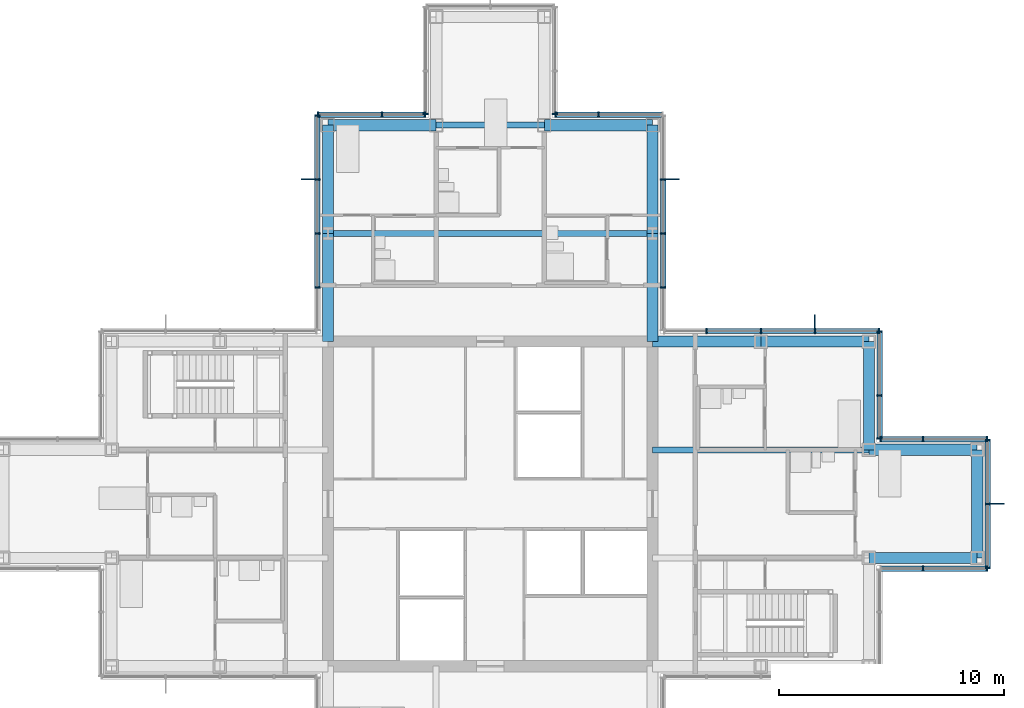
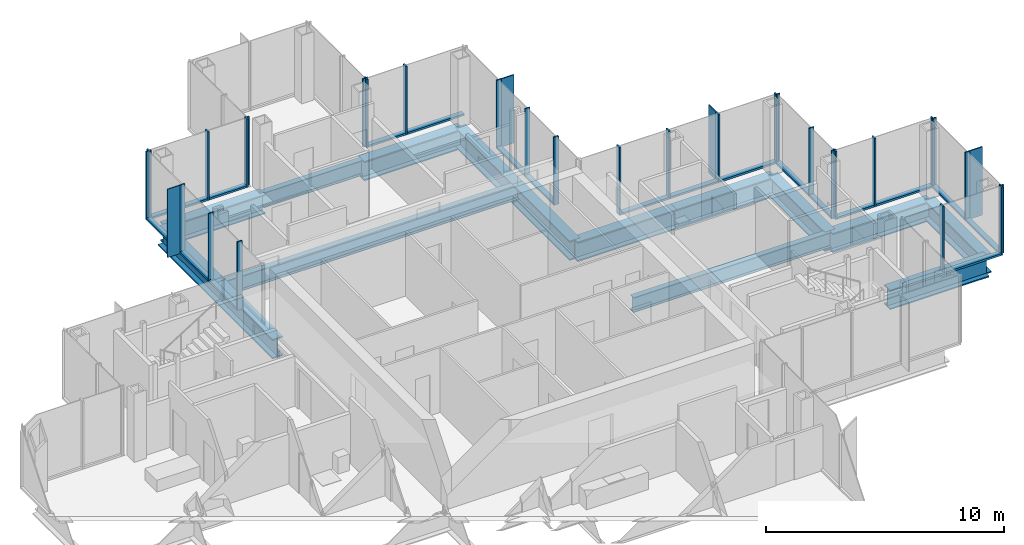
# One storey, part 8 of 17: 53 members, 15 beams, 11 elements without a shape of their own.
"""IFC4 building model written with IfcOpenShell, lengths in metres."""

from ifc_helpers import new_model, si_unit, direction, frame, origin, origin_2d, place, context, subcontext, project, spatial, rectangle, i_section, extrude, material, material_profile, profile_set, type_object, element, aggregate, save


model = new_model("IFC4")

# Units and contexts
model_context = context("Model", 3, precision=1e-05, world=origin(), true_north=direction((0.0, 1.0)))
body_context = subcontext(model_context, "Body", "Model", "MODEL_VIEW")
ifc_project = project(units=[si_unit("LENGTHUNIT", "METRE"), si_unit("AREAUNIT", "SQUARE_METRE"), si_unit("VOLUMEUNIT", "CUBIC_METRE"), si_unit("PLANEANGLEUNIT", "RADIAN"), si_unit("MASSUNIT", "GRAM", prefix="KILO")], contexts=[model_context])

# Site, building, storey
site_placement = place(None, origin())
site = spatial("IfcSite", under=ifc_project, at=site_placement, CompositionType="ELEMENT")
building_placement = place(site_placement, origin())
building = spatial("IfcBuilding", under=site, at=building_placement, Name="Kvirike Care Tower", CompositionType="ELEMENT")
storey_placement = place(building_placement, frame((0.0, 0.0, 144.5)))
storey = spatial("IfcBuildingStorey", under=building, at=storey_placement, Name="L39", CompositionType="ELEMENT", Elevation=144.5)

# Curtain wall, member
ifc_material_1 = material(Name="Anodised aluminium stick system", Category="aluminium")
curtain_wall_type = type_object("IfcCurtainWallType", Name="CW-C STICK CURTAIN WALL", PredefinedType="NOTDEFINED", material=ifc_material_1)
curtain_wall_1_placement = place(storey_placement, origin())
curtain_wall_1 = element("IfcCurtainWall", 1, at=curtain_wall_1_placement, inside=storey, type_object=curtain_wall_type, Name="Curtain wall L39 face 4", PredefinedType="NOTDEFINED")
ifc_material_2 = material(Name="Bronze anodised aluminium fin", Category="aluminium")
ifc_material_profile_1 = material_profile(ifc_material_2, rectangle(XDim=0.050048828125, YDim=0.60009765625, at=origin_2d()), Name="BRONZE FIN 600")
ifc_profile_set_1 = profile_set([ifc_material_profile_1], Name="Bronze anodised aluminium fin")
member_type_1 = type_object("IfcMemberType", Name="BRONZE FIN 600", PredefinedType="USERDEFINED", material=ifc_profile_set_1)
member_1_placement = place(storey_placement, frame((44.090087890625, 36.0, 0.0), z_axis=(0.0, 0.0, 1.0), x_axis=(0.0, 1.0, 0.0)))
member_1 = element("IfcMember", 2, at=member_1_placement, type_object=member_type_1, Name="Bronze fin L39 face 4.2", ObjectType="FIN", PredefinedType="USERDEFINED", context=body_context, shape_type="SweptSolid", body=[
    extrude(rectangle(XDim=0.050048828125, YDim=0.60009765625, at=origin_2d()), origin(), (0.0, 0.0, 1.0), 3.5),
])

curtain_wall_2_placement = place(storey_placement, origin())
curtain_wall_2 = element("IfcCurtainWall", 3, at=curtain_wall_2_placement, inside=storey, type_object=curtain_wall_type, Name="Curtain wall L39 face 7", PredefinedType="NOTDEFINED")
member_2_placement = place(storey_placement, frame((36.0, 44.090087890625, 0.0), z_axis=(0.0, 0.0, 1.0), x_axis=(-1.0, 0.0, 0.0)))
member_2 = element("IfcMember", 4, at=member_2_placement, type_object=member_type_1, Name="Bronze fin L39 face 7.2", ObjectType="FIN", PredefinedType="USERDEFINED", context=body_context, shape_type="SweptSolid", body=[
    extrude(rectangle(XDim=0.050048828125, YDim=0.60009765625, at=origin_2d()), origin(), (0.0, 0.0, 1.0), 3.5),
])

curtain_wall_3_placement = place(storey_placement, origin())
curtain_wall_3 = element("IfcCurtainWall", 5, at=curtain_wall_3_placement, inside=storey, type_object=curtain_wall_type, Name="Curtain wall L39 face 8", PredefinedType="NOTDEFINED")
member_3_placement = place(storey_placement, frame((29.68994140625, 50.39990234375, 0.0), z_axis=(0.0, 0.0, 1.0), x_axis=(0.0, 1.0, 0.0)))
member_3 = element("IfcMember", 6, at=member_3_placement, type_object=member_type_1, Name="Bronze fin L39 face 8.4", ObjectType="FIN", PredefinedType="USERDEFINED", context=body_context, shape_type="SweptSolid", body=[
    extrude(rectangle(XDim=0.050048828125, YDim=0.60009765625, at=origin_2d()), origin(), (0.0, 0.0, 1.0), 3.5),
])

curtain_wall_4_placement = place(storey_placement, origin())
curtain_wall_4 = element("IfcCurtainWall", 7, at=curtain_wall_4_placement, inside=storey, type_object=curtain_wall_type, Name="Curtain wall L39 face 14", PredefinedType="NOTDEFINED")
member_4_placement = place(storey_placement, frame((13.510009765625, 50.39990234375, 0.0), z_axis=(0.0, 0.0, 1.0), x_axis=(0.0, -1.0, 0.0)))
member_4 = element("IfcMember", 8, at=member_4_placement, type_object=member_type_1, Name="Bronze fin L39 face 14.2", ObjectType="FIN", PredefinedType="USERDEFINED", context=body_context, shape_type="SweptSolid", body=[
    extrude(rectangle(XDim=0.050048828125, YDim=0.60009765625, at=origin_2d()), origin(), (0.0, 0.0, 1.0), 3.5),
])

# Curtain wall, members
curtain_wall_5_placement = place(storey_placement, origin())
curtain_wall_5 = element("IfcCurtainWall", 9, at=curtain_wall_5_placement, inside=storey, type_object=curtain_wall_type, Name="Curtain wall L39 face 3", PredefinedType="NOTDEFINED")
ifc_material_3 = material(Name="Bronze anodised aluminium mullion", Category="aluminium")
ifc_material_profile_2 = material_profile(ifc_material_3, rectangle(XDim=0.06494140625, YDim=0.239990234375, at=origin_2d()), Name="CW-C MULLION 65x240")
ifc_profile_set_2 = profile_set([ifc_material_profile_2], Name="Bronze anodised aluminium mullion")
member_type_2 = type_object("IfcMemberType", Name="CW-C MULLION 65x240", PredefinedType="MULLION", material=ifc_profile_set_2)
member_5_placement = place(storey_placement, frame((40.800048828125, 33.1298828125, 0.0), z_axis=(0.0, 0.0, 1.0), x_axis=(1.0, 0.0, 0.0)))
member_5 = element("IfcMember", 10, at=member_5_placement, type_object=member_type_2, Name="CW-C mullion L39 face 3.2", PredefinedType="MULLION", context=body_context, shape_type="SweptSolid", body=[
    extrude(rectangle(XDim=0.06494140625, YDim=0.239990234375, at=origin_2d()), origin(), (0.0, 0.0, 1.0), 3.5),
])
member_6_placement = place(storey_placement, frame((43.637451171875, 33.1298828125, 0.0), z_axis=(0.0, 0.0, 1.0), x_axis=(1.0, 0.0, 0.0)))
member_6 = element("IfcMember", 11, at=member_6_placement, type_object=member_type_2, Name="CW-C mullion L39 face 3.3", PredefinedType="MULLION", context=body_context, shape_type="SweptSolid", body=[
    extrude(rectangle(XDim=0.06494140625, YDim=0.239990234375, at=origin_2d()), origin(), (0.0, 0.0, 1.0), 3.5),
])

# Member
member_7_placement = place(storey_placement, frame((43.669921875, 33.16259765625, 0.0), z_axis=(0.0, 0.0, 1.0), x_axis=(0.0, 1.0, 0.0)))
member_7 = element("IfcMember", 12, at=member_7_placement, type_object=member_type_2, Name="CW-C mullion L39 face 4.1", PredefinedType="MULLION", context=body_context, shape_type="SweptSolid", body=[
    extrude(rectangle(XDim=0.06494140625, YDim=0.239990234375, at=origin_2d()), origin(), (0.0, 0.0, 1.0), 3.5),
])

member_8_placement = place(storey_placement, frame((43.669921875, 36.0, 0.0), z_axis=(0.0, 0.0, 1.0), x_axis=(0.0, 1.0, 0.0)))
member_8 = element("IfcMember", 13, at=member_8_placement, type_object=member_type_2, Name="CW-C mullion L39 face 4.2", PredefinedType="MULLION", context=body_context, shape_type="SweptSolid", body=[
    extrude(rectangle(XDim=0.06494140625, YDim=0.239990234375, at=origin_2d()), origin(), (0.0, 0.0, 1.0), 3.5),
])

member_9_placement = place(storey_placement, frame((43.669921875, 38.83740234375, 0.0), z_axis=(0.0, 0.0, 1.0), x_axis=(0.0, 1.0, 0.0)))
member_9 = element("IfcMember", 14, at=member_9_placement, type_object=member_type_2, Name="CW-C mullion L39 face 4.3", PredefinedType="MULLION", context=body_context, shape_type="SweptSolid", body=[
    extrude(rectangle(XDim=0.06494140625, YDim=0.239990234375, at=origin_2d()), origin(), (0.0, 0.0, 1.0), 3.5),
])

# Curtain wall, members
curtain_wall_6_placement = place(storey_placement, origin())
curtain_wall_6 = element("IfcCurtainWall", 15, at=curtain_wall_6_placement, inside=storey, type_object=curtain_wall_type, Name="Curtain wall L39 face 5", PredefinedType="NOTDEFINED")
member_10_placement = place(storey_placement, frame((43.637451171875, 38.8701171875, 0.0), z_axis=(0.0, 0.0, 1.0), x_axis=(-1.0, 0.0, 0.0)))
member_10 = element("IfcMember", 16, at=member_10_placement, type_object=member_type_2, Name="CW-C mullion L39 face 5.1", PredefinedType="MULLION", context=body_context, shape_type="SweptSolid", body=[
    extrude(rectangle(XDim=0.06494140625, YDim=0.239990234375, at=origin_2d()), origin(), (0.0, 0.0, 1.0), 3.5),
])
member_11_placement = place(storey_placement, frame((40.800048828125, 38.8701171875, 0.0), z_axis=(0.0, 0.0, 1.0), x_axis=(-1.0, 0.0, 0.0)))
member_11 = element("IfcMember", 17, at=member_11_placement, type_object=member_type_2, Name="CW-C mullion L39 face 5.2", PredefinedType="MULLION", context=body_context, shape_type="SweptSolid", body=[
    extrude(rectangle(XDim=0.06494140625, YDim=0.239990234375, at=origin_2d()), origin(), (0.0, 0.0, 1.0), 3.5),
])
member_12_placement = place(storey_placement, frame((38.902587890625, 38.8701171875, 0.0), z_axis=(0.0, 0.0, 1.0), x_axis=(-1.0, 0.0, 0.0)))
member_12 = element("IfcMember", 18, at=member_12_placement, type_object=member_type_2, Name="CW-C mullion L39 face 5.3", PredefinedType="MULLION", context=body_context, shape_type="SweptSolid", body=[
    extrude(rectangle(XDim=0.06494140625, YDim=0.239990234375, at=origin_2d()), origin(), (0.0, 0.0, 1.0), 3.5),
])

curtain_wall_7_placement = place(storey_placement, origin())
curtain_wall_7 = element("IfcCurtainWall", 19, at=curtain_wall_7_placement, inside=storey, type_object=curtain_wall_type, Name="Curtain wall L39 face 6", PredefinedType="NOTDEFINED")
member_13_placement = place(storey_placement, frame((38.8701171875, 38.902587890625, 0.0), z_axis=(0.0, 0.0, 1.0), x_axis=(0.0, 1.0, 0.0)))
member_13 = element("IfcMember", 20, at=member_13_placement, type_object=member_type_2, Name="CW-C mullion L39 face 6.1", PredefinedType="MULLION", context=body_context, shape_type="SweptSolid", body=[
    extrude(rectangle(XDim=0.06494140625, YDim=0.239990234375, at=origin_2d()), origin(), (0.0, 0.0, 1.0), 3.5),
])
member_14_placement = place(storey_placement, frame((38.8701171875, 40.800048828125, 0.0), z_axis=(0.0, 0.0, 1.0), x_axis=(0.0, 1.0, 0.0)))
member_14 = element("IfcMember", 21, at=member_14_placement, type_object=member_type_2, Name="CW-C mullion L39 face 6.2", PredefinedType="MULLION", context=body_context, shape_type="SweptSolid", body=[
    extrude(rectangle(XDim=0.06494140625, YDim=0.239990234375, at=origin_2d()), origin(), (0.0, 0.0, 1.0), 3.5),
])
member_15_placement = place(storey_placement, frame((38.8701171875, 43.637451171875, 0.0), z_axis=(0.0, 0.0, 1.0), x_axis=(0.0, 1.0, 0.0)))
member_15 = element("IfcMember", 22, at=member_15_placement, type_object=member_type_2, Name="CW-C mullion L39 face 6.3", PredefinedType="MULLION", context=body_context, shape_type="SweptSolid", body=[
    extrude(rectangle(XDim=0.06494140625, YDim=0.239990234375, at=origin_2d()), origin(), (0.0, 0.0, 1.0), 3.5),
])

# Member
member_16_placement = place(storey_placement, frame((38.83740234375, 43.669921875, 0.0), z_axis=(0.0, 0.0, 1.0), x_axis=(-1.0, 0.0, 0.0)))
member_16 = element("IfcMember", 23, at=member_16_placement, type_object=member_type_2, Name="CW-C mullion L39 face 7.1", PredefinedType="MULLION", context=body_context, shape_type="SweptSolid", body=[
    extrude(rectangle(XDim=0.06494140625, YDim=0.239990234375, at=origin_2d()), origin(), (0.0, 0.0, 1.0), 3.5),
])

member_17_placement = place(storey_placement, frame((36.0, 43.669921875, 0.0), z_axis=(0.0, 0.0, 1.0), x_axis=(-1.0, 0.0, 0.0)))
member_17 = element("IfcMember", 24, at=member_17_placement, type_object=member_type_2, Name="CW-C mullion L39 face 7.2", PredefinedType="MULLION", context=body_context, shape_type="SweptSolid", body=[
    extrude(rectangle(XDim=0.06494140625, YDim=0.239990234375, at=origin_2d()), origin(), (0.0, 0.0, 1.0), 3.5),
])

member_18_placement = place(storey_placement, frame((33.60009765625, 43.669921875, 0.0), z_axis=(0.0, 0.0, 1.0), x_axis=(-1.0, 0.0, 0.0)))
member_18 = element("IfcMember", 25, at=member_18_placement, type_object=member_type_2, Name="CW-C mullion L39 face 7.3", PredefinedType="MULLION", context=body_context, shape_type="SweptSolid", body=[
    extrude(rectangle(XDim=0.06494140625, YDim=0.239990234375, at=origin_2d()), origin(), (0.0, 0.0, 1.0), 3.5),
])

member_19_placement = place(storey_placement, frame((31.199951171875, 43.669921875, 0.0), z_axis=(0.0, 0.0, 1.0), x_axis=(-1.0, 0.0, 0.0)))
member_19 = element("IfcMember", 26, at=member_19_placement, type_object=member_type_2, Name="CW-C mullion L39 face 7.4", PredefinedType="MULLION", context=body_context, shape_type="SweptSolid", body=[
    extrude(rectangle(XDim=0.06494140625, YDim=0.239990234375, at=origin_2d()), origin(), (0.0, 0.0, 1.0), 3.5),
])

member_20_placement = place(storey_placement, frame((29.27001953125, 45.60009765625, 0.0), z_axis=(0.0, 0.0, 1.0), x_axis=(0.0, 1.0, 0.0)))
member_20 = element("IfcMember", 27, at=member_20_placement, type_object=member_type_2, Name="CW-C mullion L39 face 8.2", PredefinedType="MULLION", context=body_context, shape_type="SweptSolid", body=[
    extrude(rectangle(XDim=0.06494140625, YDim=0.239990234375, at=origin_2d()), origin(), (0.0, 0.0, 1.0), 3.5),
])

member_21_placement = place(storey_placement, frame((29.27001953125, 48.0, 0.0), z_axis=(0.0, 0.0, 1.0), x_axis=(0.0, 1.0, 0.0)))
member_21 = element("IfcMember", 28, at=member_21_placement, type_object=member_type_2, Name="CW-C mullion L39 face 8.3", PredefinedType="MULLION", context=body_context, shape_type="SweptSolid", body=[
    extrude(rectangle(XDim=0.06494140625, YDim=0.239990234375, at=origin_2d()), origin(), (0.0, 0.0, 1.0), 3.5),
])

member_22_placement = place(storey_placement, frame((29.27001953125, 50.39990234375, 0.0), z_axis=(0.0, 0.0, 1.0), x_axis=(0.0, 1.0, 0.0)))
member_22 = element("IfcMember", 29, at=member_22_placement, type_object=member_type_2, Name="CW-C mullion L39 face 8.4", PredefinedType="MULLION", context=body_context, shape_type="SweptSolid", body=[
    extrude(rectangle(XDim=0.06494140625, YDim=0.239990234375, at=origin_2d()), origin(), (0.0, 0.0, 1.0), 3.5),
])

# Curtain wall, members
curtain_wall_8_placement = place(storey_placement, origin())
curtain_wall_8 = element("IfcCurtainWall", 30, at=curtain_wall_8_placement, inside=storey, type_object=curtain_wall_type, Name="Curtain wall L39 face 9", PredefinedType="NOTDEFINED")
member_23_placement = place(storey_placement, frame((26.39990234375, 53.27001953125, 0.0), z_axis=(0.0, 0.0, 1.0), x_axis=(-1.0, 0.0, 0.0)))
member_23 = element("IfcMember", 31, at=member_23_placement, type_object=member_type_2, Name="CW-C mullion L39 face 9.2", PredefinedType="MULLION", context=body_context, shape_type="SweptSolid", body=[
    extrude(rectangle(XDim=0.06494140625, YDim=0.239990234375, at=origin_2d()), origin(), (0.0, 0.0, 1.0), 3.5),
])
member_24_placement = place(storey_placement, frame((24.50244140625, 53.27001953125, 0.0), z_axis=(0.0, 0.0, 1.0), x_axis=(-1.0, 0.0, 0.0)))
member_24 = element("IfcMember", 32, at=member_24_placement, type_object=member_type_2, Name="CW-C mullion L39 face 9.3", PredefinedType="MULLION", context=body_context, shape_type="SweptSolid", body=[
    extrude(rectangle(XDim=0.06494140625, YDim=0.239990234375, at=origin_2d()), origin(), (0.0, 0.0, 1.0), 3.5),
])

# Curtain wall, member
curtain_wall_9_placement = place(storey_placement, origin())
curtain_wall_9 = element("IfcCurtainWall", 33, at=curtain_wall_9_placement, inside=storey, type_object=curtain_wall_type, Name="Curtain wall L39 face 10", PredefinedType="NOTDEFINED")
member_25_placement = place(storey_placement, frame((24.469970703125, 53.302490234375, 0.0), z_axis=(0.0, 0.0, 1.0), x_axis=(0.0, 1.0, 0.0)))
member_25 = element("IfcMember", 34, at=member_25_placement, type_object=member_type_2, Name="CW-C mullion L39 face 10.1", PredefinedType="MULLION", context=body_context, shape_type="SweptSolid", body=[
    extrude(rectangle(XDim=0.06494140625, YDim=0.239990234375, at=origin_2d()), origin(), (0.0, 0.0, 1.0), 3.5),
])
aggregate(curtain_wall_9, [member_25])

curtain_wall_10_placement = place(storey_placement, origin())
curtain_wall_10 = element("IfcCurtainWall", 35, at=curtain_wall_10_placement, inside=storey, type_object=curtain_wall_type, Name="Curtain wall L39 face 12", PredefinedType="NOTDEFINED")
member_26_placement = place(storey_placement, frame((18.72998046875, 53.302490234375, 0.0), z_axis=(0.0, 0.0, 1.0), x_axis=(0.0, -1.0, 0.0)))
member_26 = element("IfcMember", 36, at=member_26_placement, type_object=member_type_2, Name="CW-C mullion L39 face 12.3", PredefinedType="MULLION", context=body_context, shape_type="SweptSolid", body=[
    extrude(rectangle(XDim=0.06494140625, YDim=0.239990234375, at=origin_2d()), origin(), (0.0, 0.0, 1.0), 3.5),
])
aggregate(curtain_wall_10, [member_26])

# Curtain wall, members
curtain_wall_11_placement = place(storey_placement, origin())
curtain_wall_11 = element("IfcCurtainWall", 37, at=curtain_wall_11_placement, inside=storey, type_object=curtain_wall_type, Name="Curtain wall L39 face 13", PredefinedType="NOTDEFINED")
member_27_placement = place(storey_placement, frame((18.697509765625, 53.27001953125, 0.0), z_axis=(0.0, 0.0, 1.0), x_axis=(-1.0, 0.0, 0.0)))
member_27 = element("IfcMember", 38, at=member_27_placement, type_object=member_type_2, Name="CW-C mullion L39 face 13.1", PredefinedType="MULLION", context=body_context, shape_type="SweptSolid", body=[
    extrude(rectangle(XDim=0.06494140625, YDim=0.239990234375, at=origin_2d()), origin(), (0.0, 0.0, 1.0), 3.5),
])
member_28_placement = place(storey_placement, frame((16.800048828125, 53.27001953125, 0.0), z_axis=(0.0, 0.0, 1.0), x_axis=(-1.0, 0.0, 0.0)))
member_28 = element("IfcMember", 39, at=member_28_placement, type_object=member_type_2, Name="CW-C mullion L39 face 13.2", PredefinedType="MULLION", context=body_context, shape_type="SweptSolid", body=[
    extrude(rectangle(XDim=0.06494140625, YDim=0.239990234375, at=origin_2d()), origin(), (0.0, 0.0, 1.0), 3.5),
])
member_29_placement = place(storey_placement, frame((13.96240234375, 53.27001953125, 0.0), z_axis=(0.0, 0.0, 1.0), x_axis=(-1.0, 0.0, 0.0)))
member_29 = element("IfcMember", 40, at=member_29_placement, type_object=member_type_2, Name="CW-C mullion L39 face 13.3", PredefinedType="MULLION", context=body_context, shape_type="SweptSolid", body=[
    extrude(rectangle(XDim=0.06494140625, YDim=0.239990234375, at=origin_2d()), origin(), (0.0, 0.0, 1.0), 3.5),
])

# Member
member_30_placement = place(storey_placement, frame((13.929931640625, 53.237548828125, 0.0), z_axis=(0.0, 0.0, 1.0), x_axis=(0.0, -1.0, 0.0)))
member_30 = element("IfcMember", 41, at=member_30_placement, type_object=member_type_2, Name="CW-C mullion L39 face 14.1", PredefinedType="MULLION", context=body_context, shape_type="SweptSolid", body=[
    extrude(rectangle(XDim=0.06494140625, YDim=0.239990234375, at=origin_2d()), origin(), (0.0, 0.0, 1.0), 3.5),
])

member_31_placement = place(storey_placement, frame((13.929931640625, 50.39990234375, 0.0), z_axis=(0.0, 0.0, 1.0), x_axis=(0.0, -1.0, 0.0)))
member_31 = element("IfcMember", 42, at=member_31_placement, type_object=member_type_2, Name="CW-C mullion L39 face 14.2", PredefinedType="MULLION", context=body_context, shape_type="SweptSolid", body=[
    extrude(rectangle(XDim=0.06494140625, YDim=0.239990234375, at=origin_2d()), origin(), (0.0, 0.0, 1.0), 3.5),
])

member_32_placement = place(storey_placement, frame((13.929931640625, 48.0, 0.0), z_axis=(0.0, 0.0, 1.0), x_axis=(0.0, -1.0, 0.0)))
member_32 = element("IfcMember", 43, at=member_32_placement, type_object=member_type_2, Name="CW-C mullion L39 face 14.3", PredefinedType="MULLION", context=body_context, shape_type="SweptSolid", body=[
    extrude(rectangle(XDim=0.06494140625, YDim=0.239990234375, at=origin_2d()), origin(), (0.0, 0.0, 1.0), 3.5),
])

member_33_placement = place(storey_placement, frame((13.929931640625, 45.60009765625, 0.0), z_axis=(0.0, 0.0, 1.0), x_axis=(0.0, -1.0, 0.0)))
member_33 = element("IfcMember", 44, at=member_33_placement, type_object=member_type_2, Name="CW-C mullion L39 face 14.4", PredefinedType="MULLION", context=body_context, shape_type="SweptSolid", body=[
    extrude(rectangle(XDim=0.06494140625, YDim=0.239990234375, at=origin_2d()), origin(), (0.0, 0.0, 1.0), 3.5),
])

ifc_material_4 = material(Name="Bronze anodised aluminium transom", Category="aluminium")
ifc_material_profile_3 = material_profile(ifc_material_4, rectangle(XDim=0.239990234375, YDim=0.10009765625, at=origin_2d()), Name="CW-C TRANSOM 240x100")
ifc_profile_set_3 = profile_set([ifc_material_profile_3], Name="Bronze anodised aluminium transom")
member_type_3 = type_object("IfcMemberType", Name="CW-C TRANSOM 240x100", PredefinedType="USERDEFINED", material=ifc_profile_set_3)
member_34_placement = place(storey_placement, frame((38.93505859375, 33.1298828125, 0.050048828125), z_axis=(1.0, 0.0, 0.0), x_axis=(0.0, 1.0, 0.0)))
member_34 = element("IfcMember", 45, at=member_34_placement, type_object=member_type_3, Name="CW-C sill transom L39 face 3.1", ObjectType="TRANSOM", PredefinedType="USERDEFINED", context=body_context, shape_type="SweptSolid", body=[
    extrude(rectangle(XDim=0.239990234375, YDim=0.10009765625, at=origin_2d()), origin(), (0.0, 0.0, 1.0), 1.83251953125),
])

member_35_placement = place(storey_placement, frame((40.83251953125, 33.1298828125, 0.050048828125), z_axis=(1.0, 0.0, 0.0), x_axis=(0.0, 1.0, 0.0)))
member_35 = element("IfcMember", 46, at=member_35_placement, type_object=member_type_3, Name="CW-C sill transom L39 face 3.2", ObjectType="TRANSOM", PredefinedType="USERDEFINED", context=body_context, shape_type="SweptSolid", body=[
    extrude(rectangle(XDim=0.239990234375, YDim=0.10009765625, at=origin_2d()), origin(), (0.0, 0.0, 1.0), 2.7724609375),
])

aggregate(curtain_wall_5, [member_5, member_6, member_34, member_35])

member_36_placement = place(storey_placement, frame((43.669921875, 33.195068359375, 0.050048828125), z_axis=(0.0, 1.0, 0.0), x_axis=(-1.0, 0.0, 0.0)))
member_36 = element("IfcMember", 47, at=member_36_placement, type_object=member_type_3, Name="CW-C sill transom L39 face 4.1", ObjectType="TRANSOM", PredefinedType="USERDEFINED", context=body_context, shape_type="SweptSolid", body=[
    extrude(rectangle(XDim=0.239990234375, YDim=0.10009765625, at=origin_2d()), origin(), (0.0, 0.0, 1.0), 2.7724609375),
])

member_37_placement = place(storey_placement, frame((43.669921875, 36.032470703125, 0.050048828125), z_axis=(0.0, 1.0, 0.0), x_axis=(-1.0, 0.0, 0.0)))
member_37 = element("IfcMember", 48, at=member_37_placement, type_object=member_type_3, Name="CW-C sill transom L39 face 4.2", ObjectType="TRANSOM", PredefinedType="USERDEFINED", context=body_context, shape_type="SweptSolid", body=[
    extrude(rectangle(XDim=0.239990234375, YDim=0.10009765625, at=origin_2d()), origin(), (0.0, 0.0, 1.0), 2.7724609375),
])

aggregate(curtain_wall_1, [member_7, member_8, member_1, member_9, member_36, member_37])

member_38_placement = place(storey_placement, frame((43.60498046875, 38.8701171875, 0.050048828125), z_axis=(-1.0, 0.0, 0.0), x_axis=(0.0, -1.0, 0.0)))
member_38 = element("IfcMember", 49, at=member_38_placement, type_object=member_type_3, Name="CW-C sill transom L39 face 5.1", ObjectType="TRANSOM", PredefinedType="USERDEFINED", context=body_context, shape_type="SweptSolid", body=[
    extrude(rectangle(XDim=0.239990234375, YDim=0.10009765625, at=origin_2d()), origin(), (0.0, 0.0, 1.0), 2.7724609375),
])

member_39_placement = place(storey_placement, frame((40.767578125, 38.8701171875, 0.050048828125), z_axis=(-1.0, 0.0, 0.0), x_axis=(0.0, -1.0, 0.0)))
member_39 = element("IfcMember", 50, at=member_39_placement, type_object=member_type_3, Name="CW-C sill transom L39 face 5.2", ObjectType="TRANSOM", PredefinedType="USERDEFINED", context=body_context, shape_type="SweptSolid", body=[
    extrude(rectangle(XDim=0.239990234375, YDim=0.10009765625, at=origin_2d()), origin(), (0.0, 0.0, 1.0), 1.83251953125),
])

aggregate(curtain_wall_6, [member_10, member_11, member_12, member_38, member_39])

member_40_placement = place(storey_placement, frame((38.8701171875, 38.93505859375, 0.050048828125), z_axis=(0.0, 1.0, 0.0), x_axis=(-1.0, 0.0, 0.0)))
member_40 = element("IfcMember", 51, at=member_40_placement, type_object=member_type_3, Name="CW-C sill transom L39 face 6.1", ObjectType="TRANSOM", PredefinedType="USERDEFINED", context=body_context, shape_type="SweptSolid", body=[
    extrude(rectangle(XDim=0.239990234375, YDim=0.10009765625, at=origin_2d()), origin(), (0.0, 0.0, 1.0), 1.83251953125),
])

member_41_placement = place(storey_placement, frame((38.8701171875, 40.83251953125, 0.050048828125), z_axis=(0.0, 1.0, 0.0), x_axis=(-1.0, 0.0, 0.0)))
member_41 = element("IfcMember", 52, at=member_41_placement, type_object=member_type_3, Name="CW-C sill transom L39 face 6.2", ObjectType="TRANSOM", PredefinedType="USERDEFINED", context=body_context, shape_type="SweptSolid", body=[
    extrude(rectangle(XDim=0.239990234375, YDim=0.10009765625, at=origin_2d()), origin(), (0.0, 0.0, 1.0), 2.7724609375),
])

aggregate(curtain_wall_7, [member_13, member_14, member_15, member_40, member_41])

member_42_placement = place(storey_placement, frame((38.804931640625, 43.669921875, 0.050048828125), z_axis=(-1.0, 0.0, 0.0), x_axis=(0.0, -1.0, 0.0)))
member_42 = element("IfcMember", 53, at=member_42_placement, type_object=member_type_3, Name="CW-C sill transom L39 face 7.1", ObjectType="TRANSOM", PredefinedType="USERDEFINED", context=body_context, shape_type="SweptSolid", body=[
    extrude(rectangle(XDim=0.239990234375, YDim=0.10009765625, at=origin_2d()), origin(), (0.0, 0.0, 1.0), 2.7724609375),
])

member_43_placement = place(storey_placement, frame((35.967529296875, 43.669921875, 0.050048828125), z_axis=(-1.0, 0.0, 0.0), x_axis=(0.0, -1.0, 0.0)))
member_43 = element("IfcMember", 54, at=member_43_placement, type_object=member_type_3, Name="CW-C sill transom L39 face 7.2", ObjectType="TRANSOM", PredefinedType="USERDEFINED", context=body_context, shape_type="SweptSolid", body=[
    extrude(rectangle(XDim=0.239990234375, YDim=0.10009765625, at=origin_2d()), origin(), (0.0, 0.0, 1.0), 2.3349609375),
])

member_44_placement = place(storey_placement, frame((33.5673828125, 43.669921875, 0.050048828125), z_axis=(-1.0, 0.0, 0.0), x_axis=(0.0, -1.0, 0.0)))
member_44 = element("IfcMember", 55, at=member_44_placement, type_object=member_type_3, Name="CW-C sill transom L39 face 7.3", ObjectType="TRANSOM", PredefinedType="USERDEFINED", context=body_context, shape_type="SweptSolid", body=[
    extrude(rectangle(XDim=0.239990234375, YDim=0.10009765625, at=origin_2d()), origin(), (0.0, 0.0, 1.0), 2.3349609375),
])

aggregate(curtain_wall_2, [member_16, member_17, member_2, member_18, member_19, member_42, member_43, member_44])

member_45_placement = place(storey_placement, frame((29.27001953125, 45.632568359375, 0.050048828125), z_axis=(0.0, 1.0, 0.0), x_axis=(-1.0, 0.0, 0.0)))
member_45 = element("IfcMember", 56, at=member_45_placement, type_object=member_type_3, Name="CW-C sill transom L39 face 8.2", ObjectType="TRANSOM", PredefinedType="USERDEFINED", context=body_context, shape_type="SweptSolid", body=[
    extrude(rectangle(XDim=0.239990234375, YDim=0.10009765625, at=origin_2d()), origin(), (0.0, 0.0, 1.0), 2.3349609375),
])

member_46_placement = place(storey_placement, frame((29.27001953125, 48.032470703125, 0.050048828125), z_axis=(0.0, 1.0, 0.0), x_axis=(-1.0, 0.0, 0.0)))
member_46 = element("IfcMember", 57, at=member_46_placement, type_object=member_type_3, Name="CW-C sill transom L39 face 8.3", ObjectType="TRANSOM", PredefinedType="USERDEFINED", context=body_context, shape_type="SweptSolid", body=[
    extrude(rectangle(XDim=0.239990234375, YDim=0.10009765625, at=origin_2d()), origin(), (0.0, 0.0, 1.0), 2.3349609375),
])

aggregate(curtain_wall_3, [member_20, member_21, member_22, member_3, member_45, member_46])

member_47_placement = place(storey_placement, frame((29.205078125, 53.27001953125, 0.050048828125), z_axis=(-1.0, 0.0, 0.0), x_axis=(0.0, -1.0, 0.0)))
member_47 = element("IfcMember", 58, at=member_47_placement, type_object=member_type_3, Name="CW-C sill transom L39 face 9.1", ObjectType="TRANSOM", PredefinedType="USERDEFINED", context=body_context, shape_type="SweptSolid", body=[
    extrude(rectangle(XDim=0.239990234375, YDim=0.10009765625, at=origin_2d()), origin(), (0.0, 0.0, 1.0), 2.7724609375),
])

member_48_placement = place(storey_placement, frame((26.367431640625, 53.27001953125, 0.050048828125), z_axis=(-1.0, 0.0, 0.0), x_axis=(0.0, -1.0, 0.0)))
member_48 = element("IfcMember", 59, at=member_48_placement, type_object=member_type_3, Name="CW-C sill transom L39 face 9.2", ObjectType="TRANSOM", PredefinedType="USERDEFINED", context=body_context, shape_type="SweptSolid", body=[
    extrude(rectangle(XDim=0.239990234375, YDim=0.10009765625, at=origin_2d()), origin(), (0.0, 0.0, 1.0), 1.83251953125),
])

aggregate(curtain_wall_8, [member_23, member_24, member_47, member_48])

member_49_placement = place(storey_placement, frame((18.6650390625, 53.27001953125, 0.050048828125), z_axis=(-1.0, 0.0, 0.0), x_axis=(0.0, -1.0, 0.0)))
member_49 = element("IfcMember", 60, at=member_49_placement, type_object=member_type_3, Name="CW-C sill transom L39 face 13.1", ObjectType="TRANSOM", PredefinedType="USERDEFINED", context=body_context, shape_type="SweptSolid", body=[
    extrude(rectangle(XDim=0.239990234375, YDim=0.10009765625, at=origin_2d()), origin(), (0.0, 0.0, 1.0), 1.83251953125),
])

member_50_placement = place(storey_placement, frame((16.767578125, 53.27001953125, 0.050048828125), z_axis=(-1.0, 0.0, 0.0), x_axis=(0.0, -1.0, 0.0)))
member_50 = element("IfcMember", 61, at=member_50_placement, type_object=member_type_3, Name="CW-C sill transom L39 face 13.2", ObjectType="TRANSOM", PredefinedType="USERDEFINED", context=body_context, shape_type="SweptSolid", body=[
    extrude(rectangle(XDim=0.239990234375, YDim=0.10009765625, at=origin_2d()), origin(), (0.0, 0.0, 1.0), 2.7724609375),
])

aggregate(curtain_wall_11, [member_27, member_28, member_29, member_49, member_50])

member_51_placement = place(storey_placement, frame((13.929931640625, 53.205078125, 0.050048828125), z_axis=(0.0, -1.0, 0.0), x_axis=(1.0, 0.0, 0.0)))
member_51 = element("IfcMember", 62, at=member_51_placement, type_object=member_type_3, Name="CW-C sill transom L39 face 14.1", ObjectType="TRANSOM", PredefinedType="USERDEFINED", context=body_context, shape_type="SweptSolid", body=[
    extrude(rectangle(XDim=0.239990234375, YDim=0.10009765625, at=origin_2d()), origin(), (0.0, 0.0, 1.0), 2.7724609375),
])

member_52_placement = place(storey_placement, frame((13.929931640625, 50.367431640625, 0.050048828125), z_axis=(0.0, -1.0, 0.0), x_axis=(1.0, 0.0, 0.0)))
member_52 = element("IfcMember", 63, at=member_52_placement, type_object=member_type_3, Name="CW-C sill transom L39 face 14.2", ObjectType="TRANSOM", PredefinedType="USERDEFINED", context=body_context, shape_type="SweptSolid", body=[
    extrude(rectangle(XDim=0.239990234375, YDim=0.10009765625, at=origin_2d()), origin(), (0.0, 0.0, 1.0), 2.3349609375),
])

member_53_placement = place(storey_placement, frame((13.929931640625, 47.967529296875, 0.050048828125), z_axis=(0.0, -1.0, 0.0), x_axis=(1.0, 0.0, 0.0)))
member_53 = element("IfcMember", 64, at=member_53_placement, type_object=member_type_3, Name="CW-C sill transom L39 face 14.3", ObjectType="TRANSOM", PredefinedType="USERDEFINED", context=body_context, shape_type="SweptSolid", body=[
    extrude(rectangle(XDim=0.239990234375, YDim=0.10009765625, at=origin_2d()), origin(), (0.0, 0.0, 1.0), 2.3349609375),
])

aggregate(curtain_wall_4, [member_30, member_31, member_4, member_32, member_33, member_51, member_52, member_53])

# Beams
ifc_material_5 = material(Name="Steel S355", Category="steel")
ifc_material_profile_4 = material_profile(ifc_material_5, i_section(OverallWidth=0.26806640625, OverallDepth=0.77001953125, WebThickness=0.015625, FlangeThickness=0.025390625, FilletRadius=0.01708984375, at=origin_2d()), Name="IPE 750x196")
ifc_profile_set_4 = profile_set([ifc_material_profile_4], Name="Steel S355")
beam_type_1 = type_object("IfcBeamType", Name="FLOOR BEAM IPE 750x196", PredefinedType="BEAM", material=ifc_profile_set_4)
beam_1_placement = place(storey_placement, frame((28.800048828125, 38.39990234375, -0.554931640625), z_axis=(1.0, 0.0, 0.0), x_axis=(0.0, 1.0, 0.0)))
element("IfcBeam", 65, at=beam_1_placement, inside=storey, type_object=beam_type_1, Name="Floor Beam J9-J11 L39", PredefinedType="BEAM", context=body_context, shape_type="SweptSolid", body=[
    extrude(i_section(OverallWidth=0.26806640625, OverallDepth=0.77001953125, WebThickness=0.015625, FlangeThickness=0.025390625, FilletRadius=0.01708984375, at=origin_2d()), origin(), (0.0, 0.0, 1.0), 9.599853515625),
])
beam_2_placement = place(storey_placement, frame((14.39990234375, 48.0, -0.554931640625), z_axis=(1.0, 0.0, 0.0), x_axis=(0.0, 1.0, 0.0)))
element("IfcBeam", 66, at=beam_2_placement, inside=storey, type_object=beam_type_1, Name="Floor Beam L6-L9 L39", PredefinedType="BEAM", context=body_context, shape_type="SweptSolid", body=[
    extrude(i_section(OverallWidth=0.26806640625, OverallDepth=0.77001953125, WebThickness=0.015625, FlangeThickness=0.025390625, FilletRadius=0.01708984375, at=origin_2d()), origin(), (0.0, 0.0, 1.0), 14.400146484375),
])
beam_3_placement = place(storey_placement, frame((19.199951171875, 52.800048828125, -0.554931640625), z_axis=(1.0, 0.0, 0.0), x_axis=(0.0, 1.0, 0.0)))
element("IfcBeam", 67, at=beam_3_placement, inside=storey, type_object=beam_type_1, Name="Floor Beam M7-M8 L39", PredefinedType="BEAM", context=body_context, shape_type="SweptSolid", body=[
    extrude(i_section(OverallWidth=0.26806640625, OverallDepth=0.77001953125, WebThickness=0.015625, FlangeThickness=0.025390625, FilletRadius=0.01708984375, at=origin_2d()), origin(), (0.0, 0.0, 1.0), 4.800048828125),
])
ifc_material_6 = material(Name="Steel S355", Category="steel")
ifc_material_profile_5 = material_profile(ifc_material_6, i_section(OverallWidth=0.5, OverallDepth=1.0, WebThickness=0.030029296875, FlangeThickness=0.06005859375, at=origin_2d()), Name="PG 1000x500x30x60")
ifc_profile_set_5 = profile_set([ifc_material_profile_5], Name="Steel S355")
beam_type_2 = type_object("IfcBeamType", Name="SPANDREL PG 1000x500x30x60", PredefinedType="SPANDREL", material=ifc_profile_set_5)
for number, where, z_axis, x_axis, name in (
    (68, (38.39990234375, 33.60009765625, -0.669921875), (1.0, 0.0, 0.0), (0.0, 1.0, 0.0), "Spandrel H11-H12 L39"),
    (69, (38.39990234375, 38.39990234375, -0.669921875), (1.0, 0.0, 0.0), (0.0, 1.0, 0.0), "Spandrel J11-J12 L39"),
    (70, (28.800048828125, 43.199951171875, -0.669921875), (1.0, 0.0, 0.0), (0.0, 1.0, 0.0), "Spandrel K9-K10 L39"),
):
    element("IfcBeam", number, at=place(storey_placement, frame(where, z_axis=z_axis, x_axis=x_axis)), inside=storey, type_object=beam_type_2, Name=name, PredefinedType="SPANDREL", context=body_context, shape_type="SweptSolid", body=[
        extrude(i_section(OverallWidth=0.5, OverallDepth=1.0, WebThickness=0.030029296875, FlangeThickness=0.06005859375, at=origin_2d()), origin(), (0.0, 0.0, 1.0), 4.800048828125),
    ])
beam_4_placement = place(storey_placement, frame((33.60009765625, 43.199951171875, -0.669921875), z_axis=(1.0, 0.0, 0.0), x_axis=(0.0, 1.0, 0.0)))
element("IfcBeam", 71, at=beam_4_placement, inside=storey, type_object=beam_type_2, Name="Spandrel K10-K11 L39", PredefinedType="SPANDREL", context=body_context, shape_type="SweptSolid", body=[
    extrude(i_section(OverallWidth=0.5, OverallDepth=1.0, WebThickness=0.030029296875, FlangeThickness=0.06005859375, at=origin_2d()), origin(), (0.0, 0.0, 1.0), 4.7998046875),
])
for number, where, z_axis, x_axis, name in (
    (72, (14.39990234375, 52.800048828125, -0.669921875), (1.0, 0.0, 0.0), (0.0, 1.0, 0.0), "Spandrel M6-M7 L39"),
    (73, (24.0, 52.800048828125, -0.669921875), (1.0, 0.0, 0.0), (0.0, 1.0, 0.0), "Spandrel M8-M9 L39"),
    (74, (14.39990234375, 43.199951171875, -0.669921875), (0.0, 1.0, 0.0), (-1.0, 0.0, 0.0), "Spandrel K6-L6 L39"),
    (75, (14.39990234375, 48.0, -0.669921875), (0.0, 1.0, 0.0), (-1.0, 0.0, 0.0), "Spandrel L6-M6 L39"),
    (76, (28.800048828125, 43.199951171875, -0.669921875), (0.0, 1.0, 0.0), (-1.0, 0.0, 0.0), "Spandrel K9-L9 L39"),
    (77, (28.800048828125, 48.0, -0.669921875), (0.0, 1.0, 0.0), (-1.0, 0.0, 0.0), "Spandrel L9-M9 L39"),
    (78, (38.39990234375, 38.39990234375, -0.669921875), (0.0, 1.0, 0.0), (-1.0, 0.0, 0.0), "Spandrel J11-K11 L39"),
):
    element("IfcBeam", number, at=place(storey_placement, frame(where, z_axis=z_axis, x_axis=x_axis)), inside=storey, type_object=beam_type_2, Name=name, PredefinedType="SPANDREL", context=body_context, shape_type="SweptSolid", body=[
        extrude(i_section(OverallWidth=0.5, OverallDepth=1.0, WebThickness=0.030029296875, FlangeThickness=0.06005859375, at=origin_2d()), origin(), (0.0, 0.0, 1.0), 4.800048828125),
    ])
beam_5_placement = place(storey_placement, frame((43.199951171875, 33.60009765625, -0.669921875), z_axis=(0.0, 1.0, 0.0), x_axis=(-1.0, 0.0, 0.0)))
element("IfcBeam", 79, at=beam_5_placement, inside=storey, type_object=beam_type_2, Name="Spandrel H12-J12 L39", PredefinedType="SPANDREL", context=body_context, shape_type="SweptSolid", body=[
    extrude(i_section(OverallWidth=0.5, OverallDepth=1.0, WebThickness=0.030029296875, FlangeThickness=0.06005859375, at=origin_2d()), origin(), (0.0, 0.0, 1.0), 4.7998046875),
])

save(model, "model.ifc")
